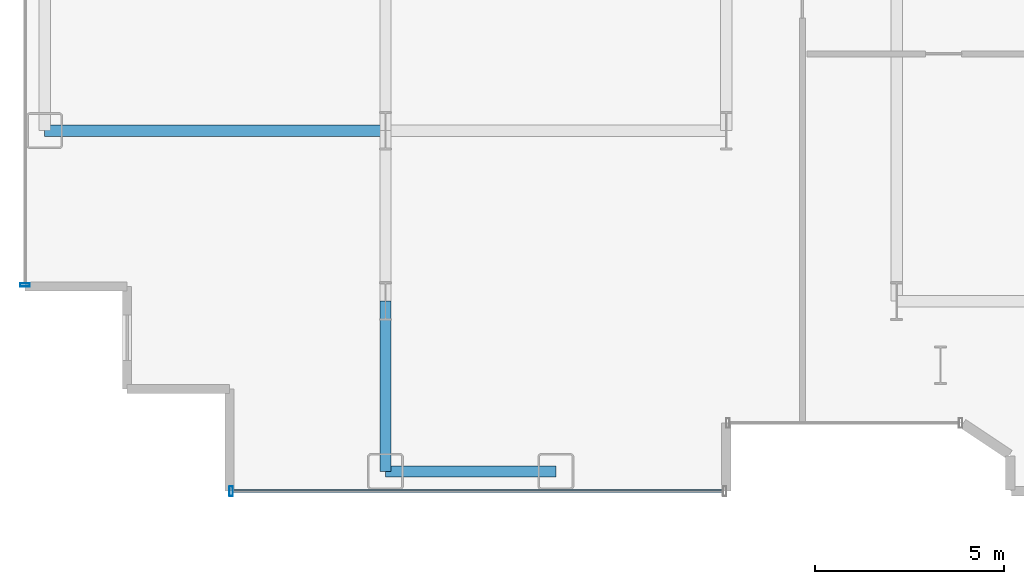
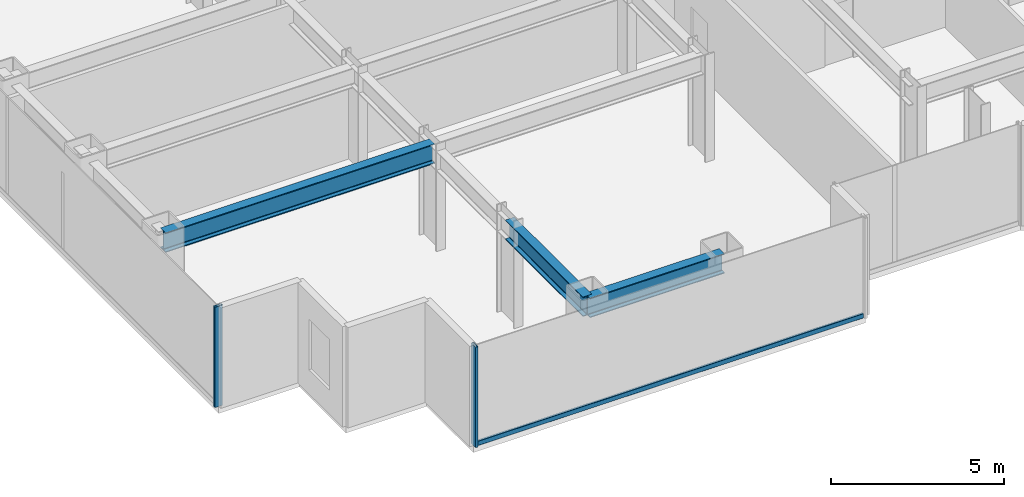
# One storey, part 2 of 25: 3 beams, 3 members, 2 elements without a shape of their own.
"""IFC4 building model written with IfcOpenShell, lengths in metres."""

import ifcopenshell
import ifcopenshell.guid

model = None  # the IFC model being written
_history = None  # IfcOwnerHistory: only IFC2X3 demands one
_inside = {}  # id of a spatial element -> (the spatial element, [elements in it])
_under = {}  # id of a project, library or spatial element -> (it, [spatial elements below it])
_declared = {}  # id of a project -> (the project, [libraries it declares])
_typed = {}  # id of a type object -> (the type object, [elements of that type])
_made_of = {}  # id of a material, layer set ... -> (it, [elements and type objects made of it])


def new_model(schema):
    """Start an empty IFC model of exactly this schema.

    Asked for "IFC4X3", IfcOpenShell would pick the latest addendum, in which some entities
    have other attributes; the version numbers below select the first issue.
    IFC2X3 requires an IfcOwnerHistory on every rooted entity: one is made here for all.
    """
    global model, _history
    if schema == "IFC4X3":
        model = ifcopenshell.file(schema_version=(4, 3, 0, 0))
    else:
        model = ifcopenshell.file(schema=schema)
    _inside.clear()
    _under.clear()
    _declared.clear()
    _typed.clear()
    _made_of.clear()
    _history = None
    if model.schema == "IFC2X3":
        org = make("IfcOrganization", Name="unknown")
        user = make(
            "IfcPersonAndOrganization",
            ThePerson=make("IfcPerson", FamilyName="unknown"),
            TheOrganization=org,
        )
        app = make(
            "IfcApplication",
            ApplicationDeveloper=org,
            Version="unknown",
            ApplicationFullName="unknown",
            ApplicationIdentifier="unknown",
        )
        _history = make(
            "IfcOwnerHistory",
            OwningUser=user,
            OwningApplication=app,
            ChangeAction="ADDED",
            CreationDate=0,
        )
    return model


def make(cls, **values):
    """One entity of the class cls with the attributes given. An attribute that is None is left unset."""
    return model.create_entity(
        cls, **{name: value for name, value in values.items() if value is not None}
    )


def rooted(cls, **values):
    """An entity with a GlobalId (a new one), such as an element, a storey or a relation."""
    return make(cls, GlobalId=ifcopenshell.guid.new(), OwnerHistory=_history, **values)


def si_unit(unit_type, name, prefix=None):
    """IfcSIUnit, for example si_unit("LENGTHUNIT", "METRE", prefix="MILLI")."""
    return make("IfcSIUnit", UnitType=unit_type, Prefix=prefix, Name=name)


def assignment(units):
    """IfcUnitAssignment: the units of a project."""
    return None if units is None else make("IfcUnitAssignment", Units=units)


def point(xyz):
    """IfcCartesianPoint."""
    return None if xyz is None else make("IfcCartesianPoint", Coordinates=xyz)


def direction(xyz):
    """IfcDirection."""
    return None if xyz is None else make("IfcDirection", DirectionRatios=xyz)


def frame(location, z_axis=None, x_axis=None):
    """IfcAxis2Placement3D, a coordinate frame: its origin and axes. An axis left out is left unset."""
    return make(
        "IfcAxis2Placement3D",
        Location=point(location),
        Axis=direction(z_axis),
        RefDirection=direction(x_axis),
    )


def frame_2d(location, x_axis=None):
    """IfcAxis2Placement2D, a coordinate frame in the plane: its origin and x axis."""
    return make(
        "IfcAxis2Placement2D", Location=point(location), RefDirection=direction(x_axis)
    )


def origin():
    """The frame at (0, 0, 0) with its axes left unset."""
    return frame((0.0, 0.0, 0.0))


def origin_2d():
    """The frame at (0, 0) in the plane with its x axis left unset."""
    return frame_2d((0.0, 0.0))


def place(relative_to, where):
    """IfcLocalPlacement: puts the frame where relative to a parent placement (None: the world)."""
    return make(
        "IfcLocalPlacement", PlacementRelTo=relative_to, RelativePlacement=where
    )


def context(
    kind, dimensions, precision=None, world=None, true_north=None, identifier=None
):
    """IfcGeometricRepresentationContext, for example the 3D "Model" context."""
    return make(
        "IfcGeometricRepresentationContext",
        ContextIdentifier=identifier,
        ContextType=kind,
        CoordinateSpaceDimension=dimensions,
        Precision=precision,
        WorldCoordinateSystem=world,
        TrueNorth=true_north,
    )


def subcontext(parent, identifier, kind, view, scale=None):
    """IfcGeometricRepresentationSubContext, for example "Body" below "Model"."""
    return make(
        "IfcGeometricRepresentationSubContext",
        ContextIdentifier=identifier,
        ContextType=kind,
        ParentContext=parent,
        TargetScale=scale,
        TargetView=view,
    )


def project(units=None, contexts=None):
    """IfcProject with its units and contexts."""
    return rooted(
        "IfcProject",
        Name="project",
        RepresentationContexts=contexts,
        UnitsInContext=assignment(units),
    )


def spatial(cls, under=None, at=None, **own):
    """A site, building, storey or space (cls), placed at a placement, below another one or the project."""
    s = rooted(cls, ObjectPlacement=at, **own)
    if under is not None:
        _under.setdefault(under.id(), (under, []))[1].append(s)
    return s


def profile(cls, at=None, kind="AREA", **sizes):
    """A parametric profile (cls). Its sizes go by their IFC names, for example OverallWidth=200.0."""
    return make(cls, ProfileType=kind, Position=at, **sizes)


def hollow_rectangle(**sizes):
    """IfcRectangleHollowProfileDef."""
    return profile("IfcRectangleHollowProfileDef", **sizes)


def i_section(**sizes):
    """IfcIShapeProfileDef."""
    return profile("IfcIShapeProfileDef", **sizes)


def extrude(swept, where, along, depth):
    """IfcExtrudedAreaSolid: the profile swept, set in the frame where, extruded along a direction by depth."""
    return make(
        "IfcExtrudedAreaSolid",
        SweptArea=swept,
        Position=where,
        ExtrudedDirection=direction(along),
        Depth=depth,
    )


def shape(context_of_items, identifier, shape_type, items):
    """IfcShapeRepresentation: the items that make up one representation, for example the "Body"."""
    return make(
        "IfcShapeRepresentation",
        ContextOfItems=context_of_items,
        RepresentationIdentifier=identifier,
        RepresentationType=shape_type,
        Items=items,
    )


def source(mapping_origin, context_of_items, identifier, shape_type, items):
    """IfcRepresentationMap: a shape defined once, which mapped items show again and again."""
    return make(
        "IfcRepresentationMap",
        MappingOrigin=mapping_origin,
        MappedRepresentation=shape(context_of_items, identifier, shape_type, items),
    )


def transform(
    local_origin,
    x_axis=None,
    y_axis=None,
    z_axis=None,
    scale=None,
    scale2=None,
    scale3=None,
    uniform=True,
):
    """IfcCartesianTransformationOperator3D, or its non-uniform kind. x_axis, y_axis, z_axis: its Axis1, 2, 3."""
    if uniform:
        return make(
            "IfcCartesianTransformationOperator3D",
            Axis1=direction(x_axis),
            Axis2=direction(y_axis),
            LocalOrigin=point(local_origin),
            Scale=scale,
            Axis3=direction(z_axis),
        )
    return make(
        "IfcCartesianTransformationOperator3DnonUniform",
        Axis1=direction(x_axis),
        Axis2=direction(y_axis),
        LocalOrigin=point(local_origin),
        Scale=scale,
        Axis3=direction(z_axis),
        Scale2=scale2,
        Scale3=scale3,
    )


def mapped(mapping_source, mapping_target):
    """IfcMappedItem: shows the shape of a source again, moved by a transform."""
    return make(
        "IfcMappedItem", MappingSource=mapping_source, MappingTarget=mapping_target
    )


def material(Name=None, Category=None):
    """IfcMaterial."""
    return make("IfcMaterial", Name=Name, Category=Category)


def layer(
    of_material, thickness, ventilated=None, Name=None, Category=None, Priority=None
):
    """IfcMaterialLayer: one layer of a wall or slab, of a material (None: an air gap)."""
    return make(
        "IfcMaterialLayer",
        Material=of_material,
        LayerThickness=thickness,
        IsVentilated=ventilated,
        Name=Name,
        Category=Category,
        Priority=Priority,
    )


def layer_set(layers, Name=None):
    """IfcMaterialLayerSet."""
    return make("IfcMaterialLayerSet", MaterialLayers=layers, LayerSetName=Name)


def material_profile(
    of_material, cross_section, Name=None, Category=None, Priority=None
):
    """IfcMaterialProfile: a cross section and its material."""
    return make(
        "IfcMaterialProfile",
        Name=Name,
        Material=of_material,
        Profile=cross_section,
        Priority=Priority,
        Category=Category,
    )


def profile_set(profiles, Name=None, composite=None):
    """IfcMaterialProfileSet."""
    return make(
        "IfcMaterialProfileSet",
        Name=Name,
        MaterialProfiles=profiles,
        CompositeProfile=composite,
    )


def made_of(thing, what):
    """Note that an element or type object is made of a material, layer set ...; save() writes the relation."""
    if what is not None:
        _made_of.setdefault(what.id(), (what, []))[1].append(thing)
    return thing


def type_object(cls, material=None, **own):
    """A type object (cls), such as IfcWallType, which elements share."""
    return made_of(rooted(cls, **own), material)


def element(
    cls,
    number,
    at=None,
    inside=None,
    cuts=None,
    type_object=None,
    material=None,
    context=None,
    identifier="Body",
    shape_type=None,
    held_by="IfcProductDefinitionShape",
    body=None,
    shapes=None,
    **own,
):
    """One element of the class cls, such as IfcWall. Its Tag is "e" and its number.

    at: its placement. inside: the storey or other place that contains it. cuts: it is an
    opening in that element (IfcRelVoidsElement). A single representation is given by context,
    identifier, shape_type and body (its items); several are given by shapes. held_by: the class
    of the entity that holds the representations. save() writes the other relations.
    """
    e = rooted(cls, Tag="e%d" % number, ObjectPlacement=at, **own)
    if body is not None:
        shapes = [shape(context, identifier, shape_type, body)]
    if shapes is not None:
        e.Representation = make(held_by, Representations=shapes)
    if inside is not None:
        _inside.setdefault(inside.id(), (inside, []))[1].append(e)
    if cuts is not None:
        rooted(
            "IfcRelVoidsElement", RelatingBuildingElement=cuts, RelatedOpeningElement=e
        )
    if type_object is not None:
        _typed.setdefault(type_object.id(), (type_object, []))[1].append(e)
    return made_of(e, material)


def aggregate(whole, parts):
    """IfcRelAggregates: a whole, such as a stair, and the parts it consists of."""
    return rooted("IfcRelAggregates", RelatingObject=whole, RelatedObjects=parts)


def save(model, path):
    """Write the relations noted so far, then the file.

    IfcRelAggregates (storeys below a building ...), IfcRelContainedInSpatialStructure (elements
    in a storey), IfcRelDefinesByType, IfcRelAssociatesMaterial and IfcRelDeclares: one each for
    every whole, place, type object, material and project.
    """
    for whole, parts in _under.values():
        aggregate(whole, parts)
    for where, things in _inside.values():
        rooted(
            "IfcRelContainedInSpatialStructure",
            RelatedElements=things,
            RelatingStructure=where,
        )
    for kind, things in _typed.values():
        rooted("IfcRelDefinesByType", RelatedObjects=things, RelatingType=kind)
    for what, things in _made_of.values():
        rooted("IfcRelAssociatesMaterial", RelatedObjects=things, RelatingMaterial=what)
    for by, libraries in _declared.values():
        rooted("IfcRelDeclares", RelatingContext=by, RelatedDefinitions=libraries)
    model.write(path)


model = new_model("IFC4")

# Units and contexts
model_context = context("Model", 3, precision=1e-05, world=origin(), true_north=direction((0.0, 1.0)))
body_context = subcontext(model_context, "Body", "Model", "MODEL_VIEW")
ifc_project = project(units=[si_unit("LENGTHUNIT", "METRE"), si_unit("AREAUNIT", "SQUARE_METRE"), si_unit("VOLUMEUNIT", "CUBIC_METRE"), si_unit("PLANEANGLEUNIT", "RADIAN"), si_unit("MASSUNIT", "GRAM", prefix="KILO")], contexts=[model_context])

# Site, building, storey
site_placement = place(None, origin())
site = spatial("IfcSite", under=ifc_project, at=site_placement, CompositionType="ELEMENT")
building_placement = place(site_placement, origin())
building = spatial("IfcBuilding", under=site, at=building_placement, Name="Nefas-Gora Pilgrimage Tower", CompositionType="ELEMENT")
storey_placement = place(building_placement, frame((0.0, 0.0, 74.800048828125)))
storey = spatial("IfcBuildingStorey", under=building, at=storey_placement, Name="L17", CompositionType="ELEMENT", Elevation=74.800048828125)

# Beams
ifc_material_1 = material(Name="Steel S355", Category="steel")
ifc_material_profile_1 = material_profile(ifc_material_1, i_section(OverallWidth=0.300048828125, OverallDepth=0.699951171875, WebThickness=0.01708984375, FlangeThickness=0.031982421875, FilletRadius=0.027099609375, at=origin_2d()), Name="HEB 700")
ifc_profile_set_1 = profile_set([ifc_material_profile_1], Name="Steel S355")
beam_type_1 = type_object("IfcBeamType", Name="BM-SPN-HEB600", PredefinedType="SPANDREL", material=ifc_profile_set_1)
shared_shape_1 = source(origin(), body_context, "Body", "SweptSolid", [
    extrude(i_section(OverallWidth=0.300048828125, OverallDepth=0.699951171875, WebThickness=0.01708984375, FlangeThickness=0.031982421875, FilletRadius=0.027099609375, at=origin_2d()), origin(), (0.0, 0.0, 1.0), 4.5),
])
beam_1_placement = place(storey_placement, frame((-24.75, -22.5, 3.199951171875), z_axis=(1.0, 0.0, 0.0), x_axis=(0.0, 1.0, 0.0)))
element("IfcBeam", 1, at=beam_1_placement, inside=storey, type_object=beam_type_1, Name="L17 SP-01 beam", PredefinedType="SPANDREL", context=body_context, shape_type="MappedRepresentation", body=[
    mapped(shared_shape_1, transform((0.0, 0.0, 0.0), x_axis=(1.0, 0.0, 0.0), y_axis=(0.0, 1.0, 0.0), z_axis=(0.0, 0.0, 1.0), scale=1.0)),
])
ifc_material_profile_2 = material_profile(ifc_material_1, i_section(OverallWidth=0.300048828125, OverallDepth=0.699951171875, WebThickness=0.01708984375, FlangeThickness=0.031982421875, FilletRadius=0.027099609375, at=origin_2d()), Name="HEB 700")
ifc_profile_set_2 = profile_set([ifc_material_profile_2], Name="Steel S355")
beam_type_2 = type_object("IfcBeamType", Name="BM-GIR-HEB700", PredefinedType="BEAM", material=ifc_profile_set_2)
shared_shape_2 = source(origin(), body_context, "Body", "SweptSolid", [
    extrude(i_section(OverallWidth=0.300048828125, OverallDepth=0.699951171875, WebThickness=0.01708984375, FlangeThickness=0.031982421875, FilletRadius=0.027099609375, at=origin_2d()), origin(), (0.0, 0.0, 1.0), 9.0),
])
beam_2_placement = place(storey_placement, frame((-33.75, -13.5, 3.199951171875), z_axis=(1.0, 0.0, 0.0), x_axis=(0.0, 1.0, 0.0)))
element("IfcBeam", 2, at=beam_2_placement, inside=storey, type_object=beam_type_2, Name="L17 G-02 beam", PredefinedType="BEAM", context=body_context, shape_type="MappedRepresentation", body=[
    mapped(shared_shape_2, transform((0.0, 0.0, 0.0), x_axis=(1.0, 0.0, 0.0), y_axis=(0.0, 1.0, 0.0), z_axis=(0.0, 0.0, 1.0), scale=1.0)),
])
shared_shape_3 = source(origin(), body_context, "Body", "SweptSolid", [
    extrude(i_section(OverallWidth=0.300048828125, OverallDepth=0.699951171875, WebThickness=0.01708984375, FlangeThickness=0.031982421875, FilletRadius=0.027099609375, at=origin_2d()), origin(), (0.0, 0.0, 1.0), 4.5),
])
beam_3_placement = place(storey_placement, frame((-24.75, -22.5, 3.199951171875), z_axis=(0.0, 1.0, 0.0), x_axis=(-1.0, 0.0, 0.0)))
element("IfcBeam", 3, at=beam_3_placement, inside=storey, type_object=beam_type_2, Name="L17 G-02 beam", PredefinedType="BEAM", context=body_context, shape_type="MappedRepresentation", body=[
    mapped(shared_shape_3, transform((0.0, 0.0, 0.0), x_axis=(1.0, 0.0, 0.0), y_axis=(0.0, 1.0, 0.0), z_axis=(0.0, 0.0, 1.0), scale=1.0)),
])

# Curtain wall, member
ifc_material_2 = material(Name="Dark ceramic-fritted solar-control aluminium-glass curtain wall", Category="aluminium")
ifc_layer = layer(ifc_material_2, 0.219970703125)
ifc_layer_set = layer_set([ifc_layer], Name="Dark ceramic-fritted solar-control aluminium-glass curtain wall")
curtain_wall_type = type_object("IfcCurtainWallType", Name="CW-SYS-2", PredefinedType="NOTDEFINED", material=ifc_layer_set)
curtain_wall_1_placement = place(storey_placement, origin())
curtain_wall_1 = element("IfcCurtainWall", 4, at=curtain_wall_1_placement, inside=storey, type_object=curtain_wall_type, Name="L17 Unitised Curtain Wall CW2", PredefinedType="NOTDEFINED")
ifc_material_3 = material(Name="Anodised architectural aluminium", Category="aluminium")
ifc_material_profile_3 = material_profile(ifc_material_3, hollow_rectangle(XDim=0.090087890625, YDim=0.260009765625, WallThickness=0.006103515625, InnerFilletRadius=0.006103515625, OuterFilletRadius=0.011962890625, at=origin_2d()), Name="ALU MULLION 90x260")
ifc_profile_set_3 = profile_set([ifc_material_profile_3], Name="Anodised architectural aluminium")
member_type_1 = type_object("IfcMemberType", Name="CWM-MUL-2", PredefinedType="MULLION", material=ifc_profile_set_3)
shared_shape_4 = source(origin(), body_context, "Body", "SweptSolid", [
    extrude(hollow_rectangle(XDim=0.090087890625, YDim=0.260009765625, WallThickness=0.006103515625, InnerFilletRadius=0.006103515625, OuterFilletRadius=0.011962890625, at=origin_2d()), origin(), (0.0, 0.0, 1.0), 3.550048828125),
])
member_1_placement = place(storey_placement, frame((-34.27001953125, -17.574951171875, 0.0), z_axis=(0.0, 0.0, 1.0), x_axis=(0.0, -1.0, 0.0)))
member_1 = element("IfcMember", 5, at=member_1_placement, type_object=member_type_1, Name="CW2 Mullion 2", PredefinedType="MULLION", context=body_context, shape_type="MappedRepresentation", body=[
    mapped(shared_shape_4, transform((0.0, 0.0, 0.0), x_axis=(1.0, 0.0, 0.0), y_axis=(0.0, 1.0, 0.0), z_axis=(0.0, 0.0, 1.0), scale=1.0)),
])
aggregate(curtain_wall_1, [member_1])

# Curtain wall, members
curtain_wall_2_placement = place(storey_placement, origin())
curtain_wall_2 = element("IfcCurtainWall", 6, at=curtain_wall_2_placement, inside=storey, type_object=curtain_wall_type, Name="L17 Unitised Curtain Wall CW2", PredefinedType="NOTDEFINED")
member_2_placement = place(storey_placement, frame((-28.824951171875, -23.02001953125, 0.0), z_axis=(0.0, 0.0, 1.0), x_axis=(1.0, 0.0, 0.0)))
member_2 = element("IfcMember", 7, at=member_2_placement, type_object=member_type_1, Name="CW2 Mullion 1", PredefinedType="MULLION", context=body_context, shape_type="MappedRepresentation", body=[
    mapped(shared_shape_4, transform((0.0, 0.0, 0.0), x_axis=(1.0, 0.0, 0.0), y_axis=(0.0, 1.0, 0.0), z_axis=(0.0, 0.0, 1.0), scale=1.0)),
])
ifc_material_profile_4 = material_profile(ifc_material_3, hollow_rectangle(XDim=0.080078125, YDim=0.159912109375, WallThickness=0.00439453125, InnerFilletRadius=0.00439453125, OuterFilletRadius=0.009033203125, at=origin_2d()), Name="ALU TRANSOM 80x160")
ifc_profile_set_4 = profile_set([ifc_material_profile_4], Name="Anodised architectural aluminium")
member_type_2 = type_object("IfcMemberType", Name="CWM-TRN-2", PredefinedType="USERDEFINED", material=ifc_profile_set_4)
shared_shape_5 = source(origin(), body_context, "Body", "SweptSolid", [
    extrude(hollow_rectangle(XDim=0.080078125, YDim=0.159912109375, WallThickness=0.00439453125, InnerFilletRadius=0.00439453125, OuterFilletRadius=0.009033203125, at=origin_2d()), origin(), (0.0, 0.0, 1.0), 12.93994140625),
])
member_3_placement = place(storey_placement, frame((-28.780029296875, -23.02001953125, 0.050048828125), z_axis=(1.0, 0.0, 0.0), x_axis=(0.0, 1.0, 0.0)))
member_3 = element("IfcMember", 8, at=member_3_placement, type_object=member_type_2, Name="CW2 Spandrel Transom", ObjectType="TRANSOM", PredefinedType="USERDEFINED", context=body_context, shape_type="MappedRepresentation", body=[
    mapped(shared_shape_5, transform((0.0, 0.0, 0.0), x_axis=(1.0, 0.0, 0.0), y_axis=(0.0, 1.0, 0.0), z_axis=(0.0, 0.0, 1.0), scale=1.0)),
])
aggregate(curtain_wall_2, [member_2, member_3])

save(model, "model.ifc")
